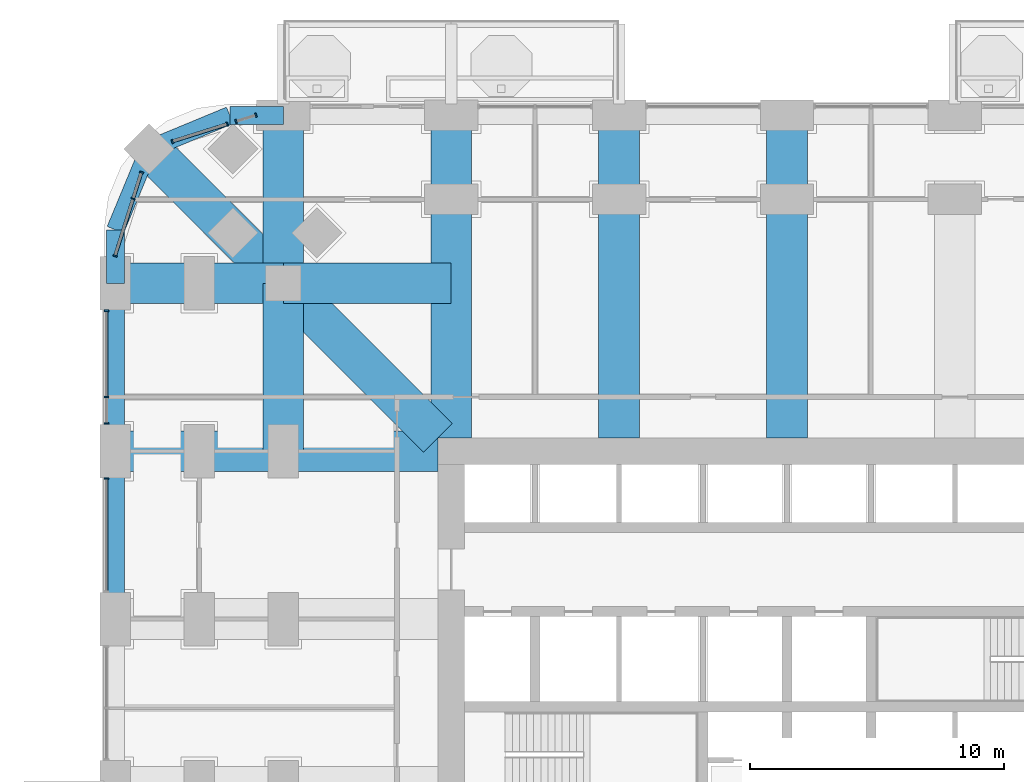
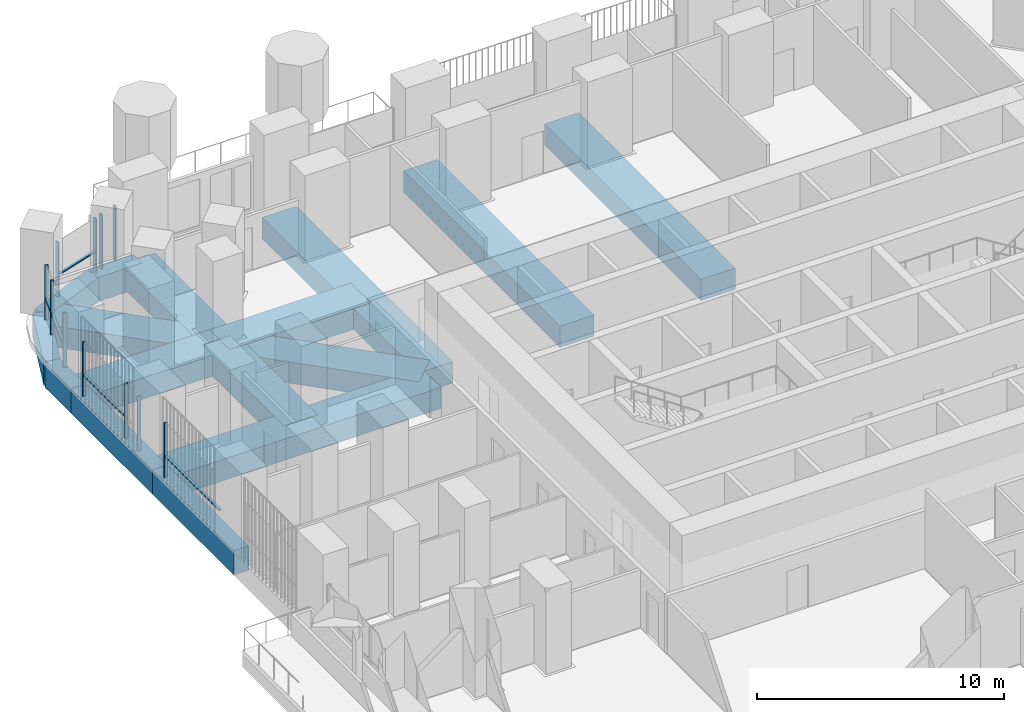
# One storey, part 7 of 27: 16 beams, 16 members, 5 elements without a shape of their own.
"""IFC4 building model written with IfcOpenShell, lengths in metres."""

from ifc_helpers import new_model, si_unit, direction, frame, origin, origin_2d, place, context, subcontext, project, spatial, rectangle, extrude, material, material_profile, profile_set, type_object, element, aggregate, save


model = new_model("IFC4")

# Units and contexts
model_context = context("Model", 3, precision=1e-05, world=origin(), true_north=direction((0.0, 1.0)))
body_context = subcontext(model_context, "Body", "Model", "MODEL_VIEW")
ifc_project = project(units=[si_unit("LENGTHUNIT", "METRE"), si_unit("AREAUNIT", "SQUARE_METRE"), si_unit("VOLUMEUNIT", "CUBIC_METRE"), si_unit("PLANEANGLEUNIT", "RADIAN"), si_unit("MASSUNIT", "GRAM", prefix="KILO")], contexts=[model_context])

# Site, building, storey
site_placement = place(None, origin())
site = spatial("IfcSite", under=ifc_project, at=site_placement, CompositionType="ELEMENT")
building_placement = place(site_placement, origin())
building = spatial("IfcBuilding", under=site, at=building_placement, Name="Cobogo Forest Laboratory Tower", CompositionType="ELEMENT")
storey_placement = place(building_placement, frame((0.0, 0.0, 54.89990234375)))
storey = spatial("IfcBuildingStorey", under=building, at=storey_placement, Name="L12", CompositionType="ELEMENT", Elevation=54.89990234375)

# Beams
ifc_material_1 = material(Name="Concrete HA-50 (C50/60)", Category="concrete")
ifc_material_profile_1 = material_profile(ifc_material_1, rectangle(XDim=1.60009765625, YDim=1.050048828125, at=origin_2d()), Name="RC 1600x1050")
ifc_profile_set_1 = profile_set([ifc_material_profile_1], Name="Concrete HA-50 (C50/60)")
beam_type_1 = type_object("IfcBeamType", Name="Laboratory floor wide beam 1600x1050", PredefinedType="BEAM", material=ifc_profile_set_1)
for number, where, z_axis, x_axis, name in (
    (1, (13.199951171875, 33.52490234375, -0.824951171875), (0.0, 1.0, 0.0), (-1.0, 0.0, 0.0), "RB8 R-3-N L12"),
    (2, (19.800048828125, 33.52490234375, -0.824951171875), (0.0, 1.0, 0.0), (-1.0, 0.0, 0.0), "RB8 R-4-N L12"),
    (3, (26.39990234375, 33.52490234375, -0.824951171875), (0.0, 1.0, 0.0), (-1.0, 0.0, 0.0), "RB8 R-5-N L12"),
    (4, (12.675048828125, 33.0, -0.824951171875), (-1.0, 0.0, 0.0), (0.0, -1.0, 0.0), "RB8 R-F-W L12"),
):
    element("IfcBeam", number, at=place(storey_placement, frame(where, z_axis=z_axis, x_axis=x_axis)), inside=storey, type_object=beam_type_1, Name=name, PredefinedType="BEAM", context=body_context, shape_type="SweptSolid", body=[
        extrude(rectangle(XDim=1.60009765625, YDim=1.050048828125, at=origin_2d()), origin(), (0.0, 0.0, 1.0), 12.675048828125),
    ])
beam_1_placement = place(storey_placement, frame((6.60009765625, 46.199951171875, -0.824951171875), z_axis=(0.0, -1.0, 0.0), x_axis=(1.0, 0.0, 0.0)))
element("IfcBeam", 5, at=beam_1_placement, inside=storey, type_object=beam_type_1, Name="RB8 G-NW-XF L12", PredefinedType="BEAM", context=body_context, shape_type="SweptSolid", body=[
    extrude(rectangle(XDim=1.60009765625, YDim=1.050048828125, at=origin_2d()), origin(), (0.0, 0.0, 1.0), 6.599853515625),
])
for number, where, z_axis, x_axis, name in (
    (6, (6.60009765625, 39.60009765625, -0.824951171875), (0.0, -1.0, 0.0), (1.0, 0.0, 0.0), "RB8 G-NW-XC L12"),
    (7, (0.0, 39.60009765625, -0.824951171875), (1.0, 0.0, 0.0), (0.0, 1.0, 0.0), "RB8 G-NW-YF L12"),
):
    element("IfcBeam", number, at=place(storey_placement, frame(where, z_axis=z_axis, x_axis=x_axis)), inside=storey, type_object=beam_type_1, Name=name, PredefinedType="BEAM", context=body_context, shape_type="SweptSolid", body=[
        extrude(rectangle(XDim=1.60009765625, YDim=1.050048828125, at=origin_2d()), origin(), (0.0, 0.0, 1.0), 6.60009765625),
    ])
beam_2_placement = place(storey_placement, frame((6.60009765625, 39.60009765625, -0.824951171875), z_axis=(1.0, 0.0, 0.0), x_axis=(0.0, 1.0, 0.0)))
element("IfcBeam", 8, at=beam_2_placement, inside=storey, type_object=beam_type_1, Name="RB8 G-NW-YC L12", PredefinedType="BEAM", context=body_context, shape_type="SweptSolid", body=[
    extrude(rectangle(XDim=1.60009765625, YDim=1.050048828125, at=origin_2d()), origin(), (0.0, 0.0, 1.0), 6.599853515625),
])
beam_3_placement = place(storey_placement, frame((1.318115234375, 44.882080078125, -0.824951171875), z_axis=(0.707106781187, -0.707106781187, 0.0), x_axis=(0.707106781187, 0.707106781187, 0.0)))
element("IfcBeam", 9, at=beam_3_placement, inside=storey, type_object=beam_type_1, Name="RB8 G-NW-D1 L12", PredefinedType="BEAM", context=body_context, shape_type="SweptSolid", body=[
    extrude(rectangle(XDim=1.60009765625, YDim=1.050048828125, at=origin_2d()), origin(), (0.0, 0.0, 1.0), 7.469970703125),
])
beam_4_placement = place(storey_placement, frame((6.60009765625, 39.60009765625, -0.824951171875), z_axis=(0.707092572697, -0.70712098939, 0.0), x_axis=(0.70712098939, 0.707092572697, 0.0)))
element("IfcBeam", 10, at=beam_4_placement, inside=storey, type_object=beam_type_1, Name="RB8 G-NW-D2 L12", PredefinedType="BEAM", context=body_context, shape_type="SweptSolid", body=[
    extrude(rectangle(XDim=1.60009765625, YDim=1.050048828125, at=origin_2d()), origin(), (0.0, 0.0, 1.0), 8.591552734375),
])

# Curtain wall, members
ifc_material_2 = material(Name="Aluminium curtain wall", Category="aluminium")
curtain_wall_type = type_object("IfcCurtainWallType", Name="CW-1 unitised curtain wall, clear glazing, laboratory floors zones A and B", PredefinedType="USERDEFINED", material=ifc_material_2)
curtain_wall_1_placement = place(storey_placement, origin())
curtain_wall_1 = element("IfcCurtainWall", 11, at=curtain_wall_1_placement, inside=storey, type_object=curtain_wall_type, Name="Curtain wall 24 L12", ObjectType="UNITISED CURTAIN WALL", PredefinedType="USERDEFINED")
ifc_material_3 = material(Name="Aluminium mullion", Category="aluminium")
ifc_material_profile_2 = material_profile(ifc_material_3, rectangle(XDim=0.06005859375, YDim=0.159912109375, at=origin_2d()), Name="AL 60x160")
ifc_profile_set_2 = profile_set([ifc_material_profile_2], Name="Aluminium mullion")
member_type_1 = type_object("IfcMemberType", Name="MU-1 aluminium mullion 60x160", PredefinedType="MULLION", material=ifc_profile_set_2)
member_1_placement = place(storey_placement, frame((5.521484375, 46.20947265625, 0.0), z_axis=(0.0, 0.0, 1.0), x_axis=(-0.953581504428, -0.301135043481, 0.0)))
member_1 = element("IfcMember", 12, at=member_1_placement, type_object=member_type_1, Name="CW-1 mullion 1", PredefinedType="MULLION", context=body_context, shape_type="SweptSolid", body=[
    extrude(rectangle(XDim=0.06005859375, YDim=0.159912109375, at=origin_2d()), origin(), (0.0, 0.0, 1.0), 2.7001953125),
])
member_2_placement = place(storey_placement, frame((4.74658203125, 45.96484375, 0.0), z_axis=(0.0, 0.0, 1.0), x_axis=(-0.953581504428, -0.301135043481, 0.0)))
member_2 = element("IfcMember", 13, at=member_2_placement, type_object=member_type_1, Name="CW-1 mullion 2", PredefinedType="MULLION", context=body_context, shape_type="SweptSolid", body=[
    extrude(rectangle(XDim=0.06005859375, YDim=0.159912109375, at=origin_2d()), origin(), (0.0, 0.0, 1.0), 2.7001953125),
])
aggregate(curtain_wall_1, [member_1, member_2])

curtain_wall_2_placement = place(storey_placement, origin())
curtain_wall_2 = element("IfcCurtainWall", 14, at=curtain_wall_2_placement, inside=storey, type_object=curtain_wall_type, Name="Curtain wall 25 L12", ObjectType="UNITISED CURTAIN WALL", PredefinedType="USERDEFINED")
member_3_placement = place(storey_placement, frame((4.39697265625, 45.854248046875, 0.0), z_axis=(0.0, 0.0, 1.0), x_axis=(-0.953581409645, -0.301135343623, 0.0)))
member_3 = element("IfcMember", 15, at=member_3_placement, type_object=member_type_1, Name="CW-1 mullion 1", PredefinedType="MULLION", context=body_context, shape_type="SweptSolid", body=[
    extrude(rectangle(XDim=0.06005859375, YDim=0.159912109375, at=origin_2d()), origin(), (0.0, 0.0, 1.0), 2.7001953125),
])
member_4_placement = place(storey_placement, frame((2.23876953125, 45.1728515625, 0.0), z_axis=(0.0, 0.0, 1.0), x_axis=(-0.953581409645, -0.301135343623, 0.0)))
member_4 = element("IfcMember", 16, at=member_4_placement, type_object=member_type_1, Name="CW-1 mullion 2", PredefinedType="MULLION", context=body_context, shape_type="SweptSolid", body=[
    extrude(rectangle(XDim=0.06005859375, YDim=0.159912109375, at=origin_2d()), origin(), (0.0, 0.0, 1.0), 2.7001953125),
])

curtain_wall_3_placement = place(storey_placement, origin())
curtain_wall_3 = element("IfcCurtainWall", 17, at=curtain_wall_3_placement, inside=storey, type_object=curtain_wall_type, Name="Curtain wall 26 L12", ObjectType="UNITISED CURTAIN WALL", PredefinedType="USERDEFINED")
member_5_placement = place(storey_placement, frame((1.02734375, 43.961181640625, 0.0), z_axis=(0.0, 0.0, 1.0), x_axis=(-0.30113535792, -0.95358140513, 0.0)))
member_5 = element("IfcMember", 18, at=member_5_placement, type_object=member_type_1, Name="CW-1 mullion 1", PredefinedType="MULLION", context=body_context, shape_type="SweptSolid", body=[
    extrude(rectangle(XDim=0.06005859375, YDim=0.159912109375, at=origin_2d()), origin(), (0.0, 0.0, 1.0), 2.7001953125),
])
member_6_placement = place(storey_placement, frame((0.69970703125, 42.924072265625, 0.0), z_axis=(0.0, 0.0, 1.0), x_axis=(-0.30113535792, -0.95358140513, 0.0)))
member_6 = element("IfcMember", 19, at=member_6_placement, type_object=member_type_1, Name="CW-1 mullion 2", PredefinedType="MULLION", context=body_context, shape_type="SweptSolid", body=[
    extrude(rectangle(XDim=0.06005859375, YDim=0.159912109375, at=origin_2d()), origin(), (0.0, 0.0, 1.0), 2.7001953125),
])
member_7_placement = place(storey_placement, frame((-0.00927734375, 40.6787109375, 0.0), z_axis=(0.0, 0.0, 1.0), x_axis=(-0.30113535792, -0.95358140513, 0.0)))
member_7 = element("IfcMember", 20, at=member_7_placement, type_object=member_type_1, Name="CW-1 mullion 3", PredefinedType="MULLION", context=body_context, shape_type="SweptSolid", body=[
    extrude(rectangle(XDim=0.06005859375, YDim=0.159912109375, at=origin_2d()), origin(), (0.0, 0.0, 1.0), 2.7001953125),
])

curtain_wall_4_placement = place(storey_placement, origin())
curtain_wall_4 = element("IfcCurtainWall", 21, at=curtain_wall_4_placement, inside=storey, type_object=curtain_wall_type, Name="Curtain wall 27 L12", ObjectType="UNITISED CURTAIN WALL", PredefinedType="USERDEFINED")
member_8_placement = place(storey_placement, frame((-0.35009765625, 38.52001953125, 0.0), z_axis=(0.0, 0.0, 1.0), x_axis=(0.0, -1.0, 0.0)))
member_8 = element("IfcMember", 22, at=member_8_placement, type_object=member_type_1, Name="CW-1 mullion 1", PredefinedType="MULLION", context=body_context, shape_type="SweptSolid", body=[
    extrude(rectangle(XDim=0.06005859375, YDim=0.159912109375, at=origin_2d()), origin(), (0.0, 0.0, 1.0), 2.7001953125),
])
member_9_placement = place(storey_placement, frame((-0.35009765625, 35.125, 0.0), z_axis=(0.0, 0.0, 1.0), x_axis=(0.0, -1.0, 0.0)))
member_9 = element("IfcMember", 23, at=member_9_placement, type_object=member_type_1, Name="CW-1 mullion 2", PredefinedType="MULLION", context=body_context, shape_type="SweptSolid", body=[
    extrude(rectangle(XDim=0.06005859375, YDim=0.159912109375, at=origin_2d()), origin(), (0.0, 0.0, 1.0), 2.7001953125),
])
member_10_placement = place(storey_placement, frame((-0.35009765625, 34.080078125, 0.0), z_axis=(0.0, 0.0, 1.0), x_axis=(0.0, -1.0, 0.0)))
member_10 = element("IfcMember", 24, at=member_10_placement, type_object=member_type_1, Name="CW-1 mullion 3", PredefinedType="MULLION", context=body_context, shape_type="SweptSolid", body=[
    extrude(rectangle(XDim=0.06005859375, YDim=0.159912109375, at=origin_2d()), origin(), (0.0, 0.0, 1.0), 2.7001953125),
])

# Curtain wall, member
curtain_wall_5_placement = place(storey_placement, origin())
curtain_wall_5 = element("IfcCurtainWall", 25, at=curtain_wall_5_placement, inside=storey, type_object=curtain_wall_type, Name="Curtain wall 28 L12", ObjectType="UNITISED CURTAIN WALL", PredefinedType="USERDEFINED")
member_11_placement = place(storey_placement, frame((-0.35009765625, 31.919921875, 0.0), z_axis=(0.0, 0.0, 1.0), x_axis=(0.0, -1.0, 0.0)))
member_11 = element("IfcMember", 26, at=member_11_placement, type_object=member_type_1, Name="CW-1 mullion 1", PredefinedType="MULLION", context=body_context, shape_type="SweptSolid", body=[
    extrude(rectangle(XDim=0.06005859375, YDim=0.159912109375, at=origin_2d()), origin(), (0.0, 0.0, 1.0), 2.7001953125),
])

# Beams
ifc_material_4 = material(Name="Concrete HA-40 (C40/50)", Category="concrete")
ifc_material_profile_3 = material_profile(ifc_material_4, rectangle(XDim=0.699951171875, YDim=1.199951171875, at=origin_2d()), Name="RC 700x1200")
ifc_profile_set_3 = profile_set([ifc_material_profile_3], Name="Concrete HA-40 (C40/50)")
beam_type_2 = type_object("IfcBeamType", Name="Perimeter edge beam 700x1200", PredefinedType="BEAM", material=ifc_profile_set_3)
for number, where, z_axis, x_axis, name in (
    (27, (0.0, 26.39990234375, -0.89990234375), (0.0, 1.0, 0.0), (-1.0, 0.0, 0.0), "EB1 E-W4 L12"),
    (28, (0.0, 33.0, -0.89990234375), (0.0, 1.0, 0.0), (-1.0, 0.0, 0.0), "EB1 E-W5 L12"),
):
    element("IfcBeam", number, at=place(storey_placement, frame(where, z_axis=z_axis, x_axis=x_axis)), inside=storey, type_object=beam_type_2, Name=name, PredefinedType="BEAM", context=body_context, shape_type="SweptSolid", body=[
        extrude(rectangle(XDim=0.699951171875, YDim=1.199951171875, at=origin_2d()), origin(), (0.0, 0.0, 1.0), 6.60009765625),
    ])
beam_5_placement = place(storey_placement, frame((6.60009765625, 46.199951171875, -0.89990234375), z_axis=(-1.0, 0.0, 0.0), x_axis=(0.0, -1.0, 0.0)))
element("IfcBeam", 29, at=beam_5_placement, inside=storey, type_object=beam_type_2, Name="EB1 E-NWN1 L12", PredefinedType="BEAM", context=body_context, shape_type="SweptSolid", body=[
    extrude(rectangle(XDim=0.699951171875, YDim=1.199951171875, at=origin_2d()), origin(), (0.0, 0.0, 1.0), 2.10009765625),
])
beam_6_placement = place(storey_placement, frame((4.5, 46.199951171875, -0.89990234375), z_axis=(-0.923890694089, -0.382656484822, 0.0), x_axis=(0.382656484822, -0.923890694089, 0.0)))
element("IfcBeam", 30, at=beam_6_placement, inside=storey, type_object=beam_type_2, Name="EB1 E-NWN2 L12", PredefinedType="BEAM", context=body_context, shape_type="SweptSolid", body=[
    extrude(rectangle(XDim=0.699951171875, YDim=1.199951171875, at=origin_2d()), origin(), (0.0, 0.0, 1.0), 3.444091796875),
])
beam_7_placement = place(storey_placement, frame((0.0, 39.60009765625, -0.89990234375), z_axis=(0.0, 1.0, 0.0), x_axis=(-1.0, 0.0, 0.0)))
element("IfcBeam", 31, at=beam_7_placement, inside=storey, type_object=beam_type_2, Name="EB1 E-NWW1 L12", PredefinedType="BEAM", context=body_context, shape_type="SweptSolid", body=[
    extrude(rectangle(XDim=0.699951171875, YDim=1.199951171875, at=origin_2d()), origin(), (0.0, 0.0, 1.0), 2.099853515625),
])
beam_8_placement = place(storey_placement, frame((0.0, 41.699951171875, -0.89990234375), z_axis=(0.382691928466, 0.923876013265, 0.0), x_axis=(-0.923876013265, 0.382691928466, 0.0)))
element("IfcBeam", 32, at=beam_8_placement, inside=storey, type_object=beam_type_2, Name="EB1 E-NWW2 L12", PredefinedType="BEAM", context=body_context, shape_type="SweptSolid", body=[
    extrude(rectangle(XDim=0.699951171875, YDim=1.199951171875, at=origin_2d()), origin(), (0.0, 0.0, 1.0), 3.4443359375),
])

# Member
ifc_material_5 = material(Name="Aluminium transom", Category="aluminium")
ifc_material_profile_4 = material_profile(ifc_material_5, rectangle(XDim=0.1201171875, YDim=0.06005859375, at=origin_2d()), Name="AL 60x120")
ifc_profile_set_4 = profile_set([ifc_material_profile_4], Name="Aluminium transom")
member_type_2 = type_object("IfcMemberType", Name="TR-1 aluminium transom 60x120", PredefinedType="USERDEFINED", material=ifc_profile_set_4)
member_12_placement = place(storey_placement, frame((4.368408203125, 45.84521484375, 1.050048828125), z_axis=(-0.953604433273, -0.301062426819, 0.0), x_axis=(0.301062426819, -0.953604433273, 0.0)))
member_12 = element("IfcMember", 33, at=member_12_placement, type_object=member_type_2, Name="CW-1 transom 1.1", ObjectType="TRANSOM", PredefinedType="USERDEFINED", context=body_context, shape_type="SweptSolid", body=[
    extrude(rectangle(XDim=0.1201171875, YDim=0.06005859375, at=origin_2d()), origin(), (0.0, 0.0, 1.0), 2.203369140625),
])

aggregate(curtain_wall_2, [member_3, member_4, member_12])

member_13_placement = place(storey_placement, frame((1.018310546875, 43.9326171875, 1.050048828125), z_axis=(-0.301222320394, -0.953553938535, 0.0), x_axis=(0.953553938535, -0.301222320394, 0.0)))
member_13 = element("IfcMember", 34, at=member_13_placement, type_object=member_type_2, Name="CW-1 transom 1.1", ObjectType="TRANSOM", PredefinedType="USERDEFINED", context=body_context, shape_type="SweptSolid", body=[
    extrude(rectangle(XDim=0.1201171875, YDim=0.06005859375, at=origin_2d()), origin(), (0.0, 0.0, 1.0), 1.02783203125),
])

member_14_placement = place(storey_placement, frame((0.690673828125, 42.8955078125, 1.050048828125), z_axis=(-0.301090633022, -0.953595527835, 0.0), x_axis=(0.953595527835, -0.301090633022, 0.0)))
member_14 = element("IfcMember", 35, at=member_14_placement, type_object=member_type_2, Name="CW-1 transom 2.1", ObjectType="TRANSOM", PredefinedType="USERDEFINED", context=body_context, shape_type="SweptSolid", body=[
    extrude(rectangle(XDim=0.1201171875, YDim=0.06005859375, at=origin_2d()), origin(), (0.0, 0.0, 1.0), 2.294677734375),
])

aggregate(curtain_wall_3, [member_5, member_6, member_7, member_13, member_14])

member_15_placement = place(storey_placement, frame((-0.35009765625, 38.489990234375, 1.050048828125), z_axis=(0.0, -1.0, 0.0), x_axis=(1.0, 0.0, 0.0)))
member_15 = element("IfcMember", 36, at=member_15_placement, type_object=member_type_2, Name="CW-1 transom 1.1", ObjectType="TRANSOM", PredefinedType="USERDEFINED", context=body_context, shape_type="SweptSolid", body=[
    extrude(rectangle(XDim=0.1201171875, YDim=0.06005859375, at=origin_2d()), origin(), (0.0, 0.0, 1.0), 3.3349609375),
])

aggregate(curtain_wall_4, [member_8, member_9, member_10, member_15])

member_16_placement = place(storey_placement, frame((-0.35009765625, 31.889892578125, 1.050048828125), z_axis=(0.0, -1.0, 0.0), x_axis=(1.0, 0.0, 0.0)))
member_16 = element("IfcMember", 37, at=member_16_placement, type_object=member_type_2, Name="CW-1 transom 1.1", ObjectType="TRANSOM", PredefinedType="USERDEFINED", context=body_context, shape_type="SweptSolid", body=[
    extrude(rectangle(XDim=0.1201171875, YDim=0.06005859375, at=origin_2d()), origin(), (0.0, 0.0, 1.0), 4.3798828125),
])

aggregate(curtain_wall_5, [member_11, member_16])

save(model, "model.ifc")
